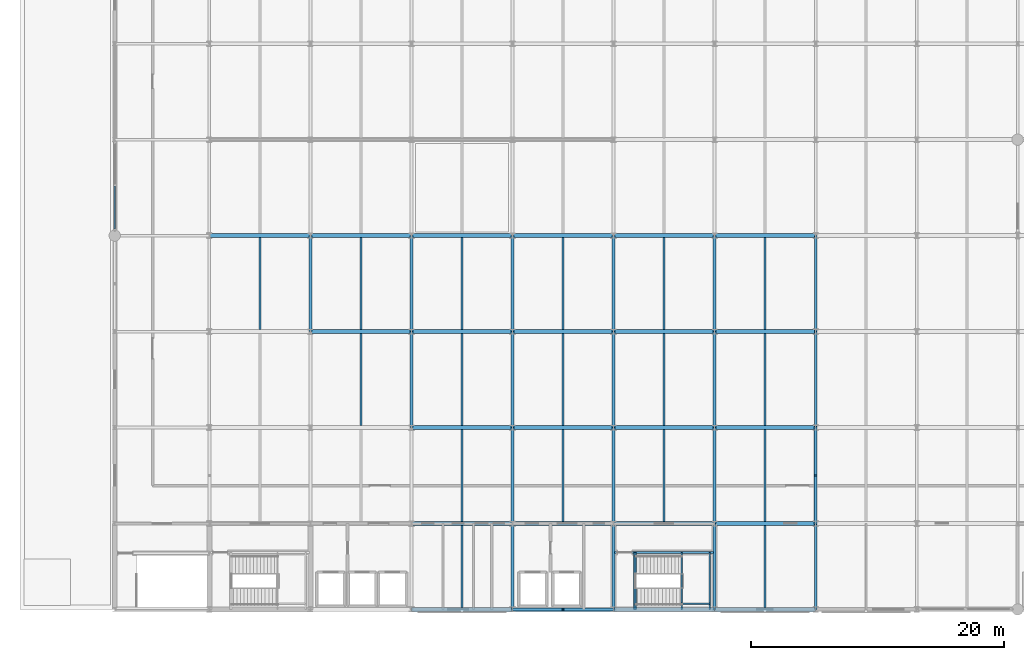
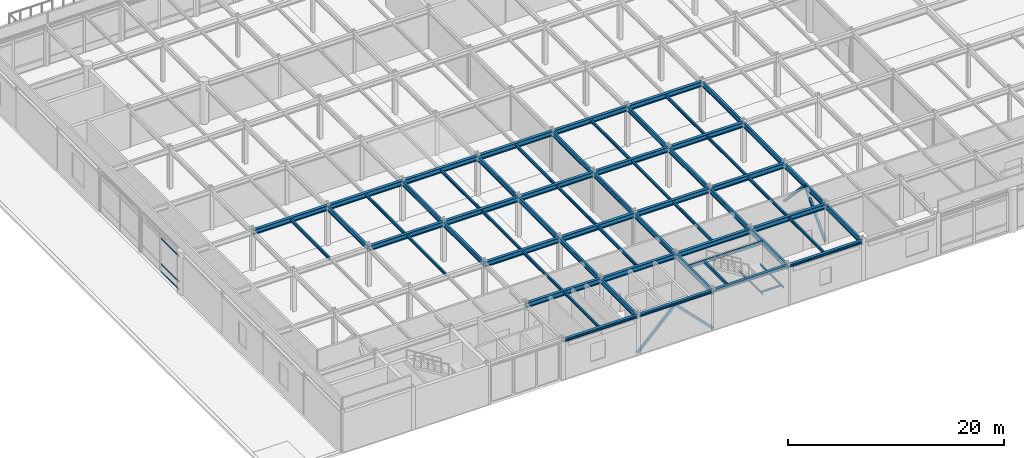
# One storey, part 14 of 43: 64 beams, 7 members, 1 element without a shape of its own.
"""IFC4 building model written with IfcOpenShell, lengths in metres."""

import ifcopenshell
import ifcopenshell.guid

model = None  # the IFC model being written
_history = None  # IfcOwnerHistory: only IFC2X3 demands one
_inside = {}  # id of a spatial element -> (the spatial element, [elements in it])
_under = {}  # id of a project, library or spatial element -> (it, [spatial elements below it])
_declared = {}  # id of a project -> (the project, [libraries it declares])
_typed = {}  # id of a type object -> (the type object, [elements of that type])
_made_of = {}  # id of a material, layer set ... -> (it, [elements and type objects made of it])


def new_model(schema):
    """Start an empty IFC model of exactly this schema.

    Asked for "IFC4X3", IfcOpenShell would pick the latest addendum, in which some entities
    have other attributes; the version numbers below select the first issue.
    IFC2X3 requires an IfcOwnerHistory on every rooted entity: one is made here for all.
    """
    global model, _history
    if schema == "IFC4X3":
        model = ifcopenshell.file(schema_version=(4, 3, 0, 0))
    else:
        model = ifcopenshell.file(schema=schema)
    _inside.clear()
    _under.clear()
    _declared.clear()
    _typed.clear()
    _made_of.clear()
    _history = None
    if model.schema == "IFC2X3":
        org = make("IfcOrganization", Name="unknown")
        user = make(
            "IfcPersonAndOrganization",
            ThePerson=make("IfcPerson", FamilyName="unknown"),
            TheOrganization=org,
        )
        app = make(
            "IfcApplication",
            ApplicationDeveloper=org,
            Version="unknown",
            ApplicationFullName="unknown",
            ApplicationIdentifier="unknown",
        )
        _history = make(
            "IfcOwnerHistory",
            OwningUser=user,
            OwningApplication=app,
            ChangeAction="ADDED",
            CreationDate=0,
        )
    return model


def make(cls, **values):
    """One entity of the class cls with the attributes given. An attribute that is None is left unset."""
    return model.create_entity(
        cls, **{name: value for name, value in values.items() if value is not None}
    )


def rooted(cls, **values):
    """An entity with a GlobalId (a new one), such as an element, a storey or a relation."""
    return make(cls, GlobalId=ifcopenshell.guid.new(), OwnerHistory=_history, **values)


def si_unit(unit_type, name, prefix=None):
    """IfcSIUnit, for example si_unit("LENGTHUNIT", "METRE", prefix="MILLI")."""
    return make("IfcSIUnit", UnitType=unit_type, Prefix=prefix, Name=name)


def assignment(units):
    """IfcUnitAssignment: the units of a project."""
    return None if units is None else make("IfcUnitAssignment", Units=units)


def point(xyz):
    """IfcCartesianPoint."""
    return None if xyz is None else make("IfcCartesianPoint", Coordinates=xyz)


def direction(xyz):
    """IfcDirection."""
    return None if xyz is None else make("IfcDirection", DirectionRatios=xyz)


def frame(location, z_axis=None, x_axis=None):
    """IfcAxis2Placement3D, a coordinate frame: its origin and axes. An axis left out is left unset."""
    return make(
        "IfcAxis2Placement3D",
        Location=point(location),
        Axis=direction(z_axis),
        RefDirection=direction(x_axis),
    )


def frame_2d(location, x_axis=None):
    """IfcAxis2Placement2D, a coordinate frame in the plane: its origin and x axis."""
    return make(
        "IfcAxis2Placement2D", Location=point(location), RefDirection=direction(x_axis)
    )


def origin():
    """The frame at (0, 0, 0) with its axes left unset."""
    return frame((0.0, 0.0, 0.0))


def origin_2d():
    """The frame at (0, 0) in the plane with its x axis left unset."""
    return frame_2d((0.0, 0.0))


def place(relative_to, where):
    """IfcLocalPlacement: puts the frame where relative to a parent placement (None: the world)."""
    return make(
        "IfcLocalPlacement", PlacementRelTo=relative_to, RelativePlacement=where
    )


def context(
    kind, dimensions, precision=None, world=None, true_north=None, identifier=None
):
    """IfcGeometricRepresentationContext, for example the 3D "Model" context."""
    return make(
        "IfcGeometricRepresentationContext",
        ContextIdentifier=identifier,
        ContextType=kind,
        CoordinateSpaceDimension=dimensions,
        Precision=precision,
        WorldCoordinateSystem=world,
        TrueNorth=true_north,
    )


def subcontext(parent, identifier, kind, view, scale=None):
    """IfcGeometricRepresentationSubContext, for example "Body" below "Model"."""
    return make(
        "IfcGeometricRepresentationSubContext",
        ContextIdentifier=identifier,
        ContextType=kind,
        ParentContext=parent,
        TargetScale=scale,
        TargetView=view,
    )


def project(units=None, contexts=None):
    """IfcProject with its units and contexts."""
    return rooted(
        "IfcProject",
        Name="project",
        RepresentationContexts=contexts,
        UnitsInContext=assignment(units),
    )


def spatial(cls, under=None, at=None, **own):
    """A site, building, storey or space (cls), placed at a placement, below another one or the project."""
    s = rooted(cls, ObjectPlacement=at, **own)
    if under is not None:
        _under.setdefault(under.id(), (under, []))[1].append(s)
    return s


def profile(cls, at=None, kind="AREA", **sizes):
    """A parametric profile (cls). Its sizes go by their IFC names, for example OverallWidth=200.0."""
    return make(cls, ProfileType=kind, Position=at, **sizes)


def hollow_rectangle(**sizes):
    """IfcRectangleHollowProfileDef."""
    return profile("IfcRectangleHollowProfileDef", **sizes)


def i_section(**sizes):
    """IfcIShapeProfileDef."""
    return profile("IfcIShapeProfileDef", **sizes)


def extrude(swept, where, along, depth):
    """IfcExtrudedAreaSolid: the profile swept, set in the frame where, extruded along a direction by depth."""
    return make(
        "IfcExtrudedAreaSolid",
        SweptArea=swept,
        Position=where,
        ExtrudedDirection=direction(along),
        Depth=depth,
    )


def shape(context_of_items, identifier, shape_type, items):
    """IfcShapeRepresentation: the items that make up one representation, for example the "Body"."""
    return make(
        "IfcShapeRepresentation",
        ContextOfItems=context_of_items,
        RepresentationIdentifier=identifier,
        RepresentationType=shape_type,
        Items=items,
    )


def material(Name=None, Category=None):
    """IfcMaterial."""
    return make("IfcMaterial", Name=Name, Category=Category)


def layer(
    of_material, thickness, ventilated=None, Name=None, Category=None, Priority=None
):
    """IfcMaterialLayer: one layer of a wall or slab, of a material (None: an air gap)."""
    return make(
        "IfcMaterialLayer",
        Material=of_material,
        LayerThickness=thickness,
        IsVentilated=ventilated,
        Name=Name,
        Category=Category,
        Priority=Priority,
    )


def layer_set(layers, Name=None):
    """IfcMaterialLayerSet."""
    return make("IfcMaterialLayerSet", MaterialLayers=layers, LayerSetName=Name)


def material_profile(
    of_material, cross_section, Name=None, Category=None, Priority=None
):
    """IfcMaterialProfile: a cross section and its material."""
    return make(
        "IfcMaterialProfile",
        Name=Name,
        Material=of_material,
        Profile=cross_section,
        Priority=Priority,
        Category=Category,
    )


def profile_set(profiles, Name=None, composite=None):
    """IfcMaterialProfileSet."""
    return make(
        "IfcMaterialProfileSet",
        Name=Name,
        MaterialProfiles=profiles,
        CompositeProfile=composite,
    )


def made_of(thing, what):
    """Note that an element or type object is made of a material, layer set ...; save() writes the relation."""
    if what is not None:
        _made_of.setdefault(what.id(), (what, []))[1].append(thing)
    return thing


def type_object(cls, material=None, **own):
    """A type object (cls), such as IfcWallType, which elements share."""
    return made_of(rooted(cls, **own), material)


def element(
    cls,
    number,
    at=None,
    inside=None,
    cuts=None,
    type_object=None,
    material=None,
    context=None,
    identifier="Body",
    shape_type=None,
    held_by="IfcProductDefinitionShape",
    body=None,
    shapes=None,
    **own,
):
    """One element of the class cls, such as IfcWall. Its Tag is "e" and its number.

    at: its placement. inside: the storey or other place that contains it. cuts: it is an
    opening in that element (IfcRelVoidsElement). A single representation is given by context,
    identifier, shape_type and body (its items); several are given by shapes. held_by: the class
    of the entity that holds the representations. save() writes the other relations.
    """
    e = rooted(cls, Tag="e%d" % number, ObjectPlacement=at, **own)
    if body is not None:
        shapes = [shape(context, identifier, shape_type, body)]
    if shapes is not None:
        e.Representation = make(held_by, Representations=shapes)
    if inside is not None:
        _inside.setdefault(inside.id(), (inside, []))[1].append(e)
    if cuts is not None:
        rooted(
            "IfcRelVoidsElement", RelatingBuildingElement=cuts, RelatedOpeningElement=e
        )
    if type_object is not None:
        _typed.setdefault(type_object.id(), (type_object, []))[1].append(e)
    return made_of(e, material)


def aggregate(whole, parts):
    """IfcRelAggregates: a whole, such as a stair, and the parts it consists of."""
    return rooted("IfcRelAggregates", RelatingObject=whole, RelatedObjects=parts)


def save(model, path):
    """Write the relations noted so far, then the file.

    IfcRelAggregates (storeys below a building ...), IfcRelContainedInSpatialStructure (elements
    in a storey), IfcRelDefinesByType, IfcRelAssociatesMaterial and IfcRelDeclares: one each for
    every whole, place, type object, material and project.
    """
    for whole, parts in _under.values():
        aggregate(whole, parts)
    for where, things in _inside.values():
        rooted(
            "IfcRelContainedInSpatialStructure",
            RelatedElements=things,
            RelatingStructure=where,
        )
    for kind, things in _typed.values():
        rooted("IfcRelDefinesByType", RelatedObjects=things, RelatingType=kind)
    for what, things in _made_of.values():
        rooted("IfcRelAssociatesMaterial", RelatedObjects=things, RelatingMaterial=what)
    for by, libraries in _declared.values():
        rooted("IfcRelDeclares", RelatingContext=by, RelatedDefinitions=libraries)
    model.write(path)


model = new_model("IFC4")

# Units and contexts
model_context = context("Model", 3, precision=1e-05, world=origin(), true_north=direction((0.0, 1.0)))
body_context = subcontext(model_context, "Body", "Model", "MODEL_VIEW")
ifc_project = project(units=[si_unit("LENGTHUNIT", "METRE"), si_unit("AREAUNIT", "SQUARE_METRE"), si_unit("VOLUMEUNIT", "CUBIC_METRE"), si_unit("PLANEANGLEUNIT", "RADIAN"), si_unit("MASSUNIT", "GRAM", prefix="KILO")], contexts=[model_context])

# Site, building, storey
site_placement = place(None, origin())
site = spatial("IfcSite", under=ifc_project, at=site_placement, CompositionType="ELEMENT")
building_placement = place(site_placement, origin())
building = spatial("IfcBuilding", under=site, at=building_placement, Name="Shalkamar Park Central Library", CompositionType="ELEMENT")
storey_placement = place(building_placement, frame((0.0, 0.0, 15.60009765625)))
storey = spatial("IfcBuildingStorey", under=building, at=storey_placement, Name="L04", CompositionType="ELEMENT", Elevation=15.60009765625)

# Beams
ifc_material_1 = material(Name="Steel S355", Category="steel")
ifc_material_profile_1 = material_profile(ifc_material_1, i_section(OverallWidth=0.10009765625, OverallDepth=0.199951171875, WebThickness=0.005615234375, FlangeThickness=0.008544921875, FilletRadius=0.011962890625, at=origin_2d()), Name="IPE 200")
ifc_profile_set_1 = profile_set([ifc_material_profile_1], Name="Steel S355")
beam_type_1 = type_object("IfcBeamType", Name="Composite Floor Joist IPE200", PredefinedType="JOIST", material=ifc_profile_set_1)
for number, where, z_axis, x_axis, name in (
    (1, (202.39990234375, 248.39990234375, 2.02001953125), (0.0, 1.0, 0.0), (-1.0, 0.0, 0.0), "Stair Half-Landing Beam ST-T2-L04-1"),
    (2, (204.6201171875, 248.39990234375, 2.02001953125), (0.0, 1.0, 0.0), (-1.0, 0.0, 0.0), "Stair Half-Landing Beam ST-T2-L04-2"),
):
    element("IfcBeam", number, at=place(storey_placement, frame(where, z_axis=z_axis, x_axis=x_axis)), inside=storey, type_object=beam_type_1, Name=name, PredefinedType="JOIST", context=body_context, shape_type="SweptSolid", body=[
        extrude(i_section(OverallWidth=0.10009765625, OverallDepth=0.199951171875, WebThickness=0.005615234375, FlangeThickness=0.008544921875, FilletRadius=0.011962890625, at=origin_2d()), origin(), (0.0, 0.0, 1.0), 4.5),
    ])
beam_1_placement = place(storey_placement, frame((202.39990234375, 248.85009765625, 2.02001953125), z_axis=(1.0, 0.0, 0.0), x_axis=(0.0, 1.0, 0.0)))
element("IfcBeam", 3, at=beam_1_placement, inside=storey, type_object=beam_type_1, Name="Stair Half-Landing Cross Tie ST-T2-L04-3", PredefinedType="JOIST", context=body_context, shape_type="SweptSolid", body=[
    extrude(i_section(OverallWidth=0.10009765625, OverallDepth=0.199951171875, WebThickness=0.005615234375, FlangeThickness=0.008544921875, FilletRadius=0.011962890625, at=origin_2d()), origin(), (0.0, 0.0, 1.0), 2.22021484375),
])
ifc_material_profile_2 = material_profile(ifc_material_1, i_section(OverallWidth=0.14990234375, OverallDepth=0.300048828125, WebThickness=0.007080078125, FlangeThickness=0.0107421875, FilletRadius=0.014892578125, at=origin_2d()), Name="IPE 300")
ifc_profile_set_2 = profile_set([ifc_material_profile_2], Name="Steel S355")
beam_type_2 = type_object("IfcBeamType", Name="Composite Floor Joist IPE300", PredefinedType="JOIST", material=ifc_profile_set_2)
beam_2_placement = place(storey_placement, frame((177.0, 262.947998046875, 4.329833984375), z_axis=(0.0, 1.0, 0.0), x_axis=(-1.0, 0.0, 0.0)))
element("IfcBeam", 4, at=beam_2_placement, inside=storey, type_object=beam_type_2, Name="Composite Joist 08/D-1 (L04)", PredefinedType="JOIST", context=body_context, shape_type="SweptSolid", body=[
    extrude(i_section(OverallWidth=0.14990234375, OverallDepth=0.300048828125, WebThickness=0.007080078125, FlangeThickness=0.0107421875, FilletRadius=0.014892578125, at=origin_2d()), origin(), (0.0, 0.0, 1.0), 7.303955078125),
])
beam_3_placement = place(storey_placement, frame((185.0, 248.548095703125, 4.329833984375), z_axis=(0.0, 1.0, 0.0), x_axis=(-1.0, 0.0, 0.0)))
element("IfcBeam", 5, at=beam_3_placement, inside=storey, type_object=beam_type_2, Name="Composite Joist 09/B-1 (L04)", PredefinedType="JOIST", context=body_context, shape_type="SweptSolid", body=[
    extrude(i_section(OverallWidth=0.14990234375, OverallDepth=0.300048828125, WebThickness=0.007080078125, FlangeThickness=0.0107421875, FilletRadius=0.014892578125, at=origin_2d()), origin(), (0.0, 0.0, 1.0), 6.50390625),
])
for number, where, z_axis, x_axis, name in (
    (6, (185.0, 262.947998046875, 4.329833984375), (0.0, 1.0, 0.0), (-1.0, 0.0, 0.0), "Composite Joist 09/D-1 (L04)"),
    (7, (193.0, 262.947998046875, 4.329833984375), (0.0, 1.0, 0.0), (-1.0, 0.0, 0.0), "Composite Joist 10/D-1 (L04)"),
    (8, (201.0, 262.947998046875, 4.329833984375), (0.0, 1.0, 0.0), (-1.0, 0.0, 0.0), "Composite Joist 11/D-1 (L04)"),
):
    element("IfcBeam", number, at=place(storey_placement, frame(where, z_axis=z_axis, x_axis=x_axis)), inside=storey, type_object=beam_type_2, Name=name, PredefinedType="JOIST", context=body_context, shape_type="SweptSolid", body=[
        extrude(i_section(OverallWidth=0.14990234375, OverallDepth=0.300048828125, WebThickness=0.007080078125, FlangeThickness=0.0107421875, FilletRadius=0.014892578125, at=origin_2d()), origin(), (0.0, 0.0, 1.0), 7.303955078125),
    ])
beam_4_placement = place(storey_placement, frame((209.0, 248.548095703125, 4.329833984375), z_axis=(0.0, 1.0, 0.0), x_axis=(-1.0, 0.0, 0.0)))
element("IfcBeam", 9, at=beam_4_placement, inside=storey, type_object=beam_type_2, Name="Composite Joist 12/B-1 (L04)", PredefinedType="JOIST", context=body_context, shape_type="SweptSolid", body=[
    extrude(i_section(OverallWidth=0.14990234375, OverallDepth=0.300048828125, WebThickness=0.007080078125, FlangeThickness=0.0107421875, FilletRadius=0.014892578125, at=origin_2d()), origin(), (0.0, 0.0, 1.0), 6.50390625),
])
beam_5_placement = place(storey_placement, frame((209.0, 262.947998046875, 4.329833984375), z_axis=(0.0, 1.0, 0.0), x_axis=(-1.0, 0.0, 0.0)))
element("IfcBeam", 10, at=beam_5_placement, inside=storey, type_object=beam_type_2, Name="Composite Joist 12/D-1 (L04)", PredefinedType="JOIST", context=body_context, shape_type="SweptSolid", body=[
    extrude(i_section(OverallWidth=0.14990234375, OverallDepth=0.300048828125, WebThickness=0.007080078125, FlangeThickness=0.0107421875, FilletRadius=0.014892578125, at=origin_2d()), origin(), (0.0, 0.0, 1.0), 7.303955078125),
])
ifc_material_profile_3 = material_profile(ifc_material_1, i_section(OverallWidth=0.159912109375, OverallDepth=0.330078125, WebThickness=0.007568359375, FlangeThickness=0.011474609375, FilletRadius=0.01806640625, at=origin_2d()), Name="IPE 330")
ifc_profile_set_3 = profile_set([ifc_material_profile_3], Name="Steel S355")
beam_type_3 = type_object("IfcBeamType", Name="Composite Floor Joist IPE330", PredefinedType="JOIST", material=ifc_profile_set_3)
for number, where, z_axis, x_axis, name in (
    (11, (169.0, 270.548095703125, 4.31494140625), (0.0, 1.0, 0.0), (-1.0, 0.0, 0.0), "Composite Joist 07/E-1 (L04)"),
    (12, (177.0, 270.548095703125, 4.31494140625), (0.0, 1.0, 0.0), (-1.0, 0.0, 0.0), "Composite Joist 08/E-1 (L04)"),
):
    element("IfcBeam", number, at=place(storey_placement, frame(where, z_axis=z_axis, x_axis=x_axis)), inside=storey, type_object=beam_type_3, Name=name, PredefinedType="JOIST", context=body_context, shape_type="SweptSolid", body=[
        extrude(i_section(OverallWidth=0.159912109375, OverallDepth=0.330078125, WebThickness=0.007568359375, FlangeThickness=0.011474609375, FilletRadius=0.01806640625, at=origin_2d()), origin(), (0.0, 0.0, 1.0), 7.303955078125),
    ])
beam_6_placement = place(storey_placement, frame((185.0, 255.347900390625, 4.31494140625), z_axis=(0.0, 1.0, 0.0), x_axis=(-1.0, 0.0, 0.0)))
element("IfcBeam", 13, at=beam_6_placement, inside=storey, type_object=beam_type_3, Name="Composite Joist 09/C-1 (L04)", PredefinedType="JOIST", context=body_context, shape_type="SweptSolid", body=[
    extrude(i_section(OverallWidth=0.159912109375, OverallDepth=0.330078125, WebThickness=0.007568359375, FlangeThickness=0.011474609375, FilletRadius=0.01806640625, at=origin_2d()), origin(), (0.0, 0.0, 1.0), 7.30419921875),
])
beam_7_placement = place(storey_placement, frame((185.0, 270.548095703125, 4.31494140625), z_axis=(0.0, 1.0, 0.0), x_axis=(-1.0, 0.0, 0.0)))
element("IfcBeam", 14, at=beam_7_placement, inside=storey, type_object=beam_type_3, Name="Composite Joist 09/E-1 (L04)", PredefinedType="JOIST", context=body_context, shape_type="SweptSolid", body=[
    extrude(i_section(OverallWidth=0.159912109375, OverallDepth=0.330078125, WebThickness=0.007568359375, FlangeThickness=0.011474609375, FilletRadius=0.01806640625, at=origin_2d()), origin(), (0.0, 0.0, 1.0), 7.303955078125),
])
beam_8_placement = place(storey_placement, frame((193.0, 255.347900390625, 4.31494140625), z_axis=(0.0, 1.0, 0.0), x_axis=(-1.0, 0.0, 0.0)))
element("IfcBeam", 15, at=beam_8_placement, inside=storey, type_object=beam_type_3, Name="Composite Joist 10/C-1 (L04)", PredefinedType="JOIST", context=body_context, shape_type="SweptSolid", body=[
    extrude(i_section(OverallWidth=0.159912109375, OverallDepth=0.330078125, WebThickness=0.007568359375, FlangeThickness=0.011474609375, FilletRadius=0.01806640625, at=origin_2d()), origin(), (0.0, 0.0, 1.0), 7.30419921875),
])
beam_9_placement = place(storey_placement, frame((193.0, 270.548095703125, 4.31494140625), z_axis=(0.0, 1.0, 0.0), x_axis=(-1.0, 0.0, 0.0)))
element("IfcBeam", 16, at=beam_9_placement, inside=storey, type_object=beam_type_3, Name="Composite Joist 10/E-1 (L04)", PredefinedType="JOIST", context=body_context, shape_type="SweptSolid", body=[
    extrude(i_section(OverallWidth=0.159912109375, OverallDepth=0.330078125, WebThickness=0.007568359375, FlangeThickness=0.011474609375, FilletRadius=0.01806640625, at=origin_2d()), origin(), (0.0, 0.0, 1.0), 7.303955078125),
])
beam_10_placement = place(storey_placement, frame((201.0, 255.347900390625, 4.31494140625), z_axis=(0.0, 1.0, 0.0), x_axis=(-1.0, 0.0, 0.0)))
element("IfcBeam", 17, at=beam_10_placement, inside=storey, type_object=beam_type_3, Name="Composite Joist 11/C-1 (L04)", PredefinedType="JOIST", context=body_context, shape_type="SweptSolid", body=[
    extrude(i_section(OverallWidth=0.159912109375, OverallDepth=0.330078125, WebThickness=0.007568359375, FlangeThickness=0.011474609375, FilletRadius=0.01806640625, at=origin_2d()), origin(), (0.0, 0.0, 1.0), 7.30419921875),
])
beam_11_placement = place(storey_placement, frame((201.0, 270.548095703125, 4.31494140625), z_axis=(0.0, 1.0, 0.0), x_axis=(-1.0, 0.0, 0.0)))
element("IfcBeam", 18, at=beam_11_placement, inside=storey, type_object=beam_type_3, Name="Composite Joist 11/E-1 (L04)", PredefinedType="JOIST", context=body_context, shape_type="SweptSolid", body=[
    extrude(i_section(OverallWidth=0.159912109375, OverallDepth=0.330078125, WebThickness=0.007568359375, FlangeThickness=0.011474609375, FilletRadius=0.01806640625, at=origin_2d()), origin(), (0.0, 0.0, 1.0), 7.303955078125),
])
beam_12_placement = place(storey_placement, frame((209.0, 255.347900390625, 4.31494140625), z_axis=(0.0, 1.0, 0.0), x_axis=(-1.0, 0.0, 0.0)))
element("IfcBeam", 19, at=beam_12_placement, inside=storey, type_object=beam_type_3, Name="Composite Joist 12/C-1 (L04)", PredefinedType="JOIST", context=body_context, shape_type="SweptSolid", body=[
    extrude(i_section(OverallWidth=0.159912109375, OverallDepth=0.330078125, WebThickness=0.007568359375, FlangeThickness=0.011474609375, FilletRadius=0.01806640625, at=origin_2d()), origin(), (0.0, 0.0, 1.0), 7.30419921875),
])
beam_13_placement = place(storey_placement, frame((209.0, 270.548095703125, 4.31494140625), z_axis=(0.0, 1.0, 0.0), x_axis=(-1.0, 0.0, 0.0)))
element("IfcBeam", 20, at=beam_13_placement, inside=storey, type_object=beam_type_3, Name="Composite Joist 12/E-1 (L04)", PredefinedType="JOIST", context=body_context, shape_type="SweptSolid", body=[
    extrude(i_section(OverallWidth=0.159912109375, OverallDepth=0.330078125, WebThickness=0.007568359375, FlangeThickness=0.011474609375, FilletRadius=0.01806640625, at=origin_2d()), origin(), (0.0, 0.0, 1.0), 7.303955078125),
])

# Curtain wall, members
ifc_material_2 = material(Name="Thermally broken aluminium and triple low-e curtain wall", Category="aluminium")
ifc_layer = layer(ifc_material_2, 0.27001953125)
ifc_layer_set = layer_set([ifc_layer], Name="UnitisedCurtainWall_63")
curtain_wall_type = type_object("IfcCurtainWallType", Name="Unitised Curtain Wall 63", PredefinedType="USERDEFINED", material=ifc_layer_set)
curtain_wall_placement = place(storey_placement, origin())
curtain_wall = element("IfcCurtainWall", 21, at=curtain_wall_placement, inside=storey, type_object=curtain_wall_type, Name="Unitised Curtain Wall CW-L04-078", ObjectType="UNITISED CURTAIN WALL", PredefinedType="USERDEFINED")
ifc_material_3 = material(Name="Aluminium 6060-T66", Category="aluminium")
ifc_material_profile_4 = material_profile(ifc_material_3, hollow_rectangle(XDim=0.06494140625, YDim=0.175048828125, WallThickness=0.00439453125, InnerFilletRadius=0.00439453125, OuterFilletRadius=0.0068359375, at=origin_2d()), Name="ALU 65x175x4.5")
ifc_profile_set_4 = profile_set([ifc_material_profile_4], Name="Aluminium 6060-T66")
member_type_1 = type_object("IfcMemberType", Name="Curtain Wall Transom ALU65x175", PredefinedType="USERDEFINED", material=ifc_profile_set_4)
member_1_placement = place(storey_placement, frame((157.5, 278.533935546875, 0.032470703125), z_axis=(0.0, 1.0, 0.0), x_axis=(-1.0, 0.0, 0.0)))
member_1 = element("IfcMember", 22, at=member_1_placement, type_object=member_type_1, Name="CW-63 transom 1.1", ObjectType="TRANSOM", PredefinedType="USERDEFINED", context=body_context, shape_type="SweptSolid", body=[
    extrude(hollow_rectangle(XDim=0.06494140625, YDim=0.175048828125, WallThickness=0.00439453125, InnerFilletRadius=0.00439453125, OuterFilletRadius=0.0068359375, at=origin_2d()), origin(), (0.0, 0.0, 1.0), 3.3759765625),
])
member_2_placement = place(storey_placement, frame((157.5, 278.533935546875, 0.89990234375), z_axis=(0.0, 1.0, 0.0), x_axis=(-1.0, 0.0, 0.0)))
member_2 = element("IfcMember", 23, at=member_2_placement, type_object=member_type_1, Name="CW-63 transom 1.2", ObjectType="TRANSOM", PredefinedType="USERDEFINED", context=body_context, shape_type="SweptSolid", body=[
    extrude(hollow_rectangle(XDim=0.06494140625, YDim=0.175048828125, WallThickness=0.00439453125, InnerFilletRadius=0.00439453125, OuterFilletRadius=0.0068359375, at=origin_2d()), origin(), (0.0, 0.0, 1.0), 3.3759765625),
])
member_3_placement = place(storey_placement, frame((157.5, 278.533935546875, 3.7998046875), z_axis=(0.0, 1.0, 0.0), x_axis=(-1.0, 0.0, 0.0)))
member_3 = element("IfcMember", 24, at=member_3_placement, type_object=member_type_1, Name="CW-63 transom 1.3", ObjectType="TRANSOM", PredefinedType="USERDEFINED", context=body_context, shape_type="SweptSolid", body=[
    extrude(hollow_rectangle(XDim=0.06494140625, YDim=0.175048828125, WallThickness=0.00439453125, InnerFilletRadius=0.00439453125, OuterFilletRadius=0.0068359375, at=origin_2d()), origin(), (0.0, 0.0, 1.0), 3.3759765625),
])
aggregate(curtain_wall, [member_1, member_2, member_3])

# Members
ifc_material_profile_5 = material_profile(ifc_material_1, hollow_rectangle(XDim=0.25, YDim=0.25, WallThickness=0.012451171875, InnerFilletRadius=0.012451171875, OuterFilletRadius=0.018798828125, at=origin_2d()), Name="SHS 250x250x12.5")
ifc_profile_set_5 = profile_set([ifc_material_profile_5], Name="Steel S355")
member_type_2 = type_object("IfcMemberType", Name="Diagonal Brace SHS250", PredefinedType="BRACE", material=ifc_profile_set_5)
for number, where, z_axis, x_axis, name in (
    (25, (213.0, 255.199951171875, 0.14990234375), (0.0, 0.686042201306, 0.7275617486), (-1.0, 0.0, 0.0), "Chevron Brace TW-E Leg A (L04)"),
    (26, (213.0, 262.800048828125, 0.14990234375), (0.0, -0.686042201306, 0.7275617486), (1.0, 0.0, 0.0), "Chevron Brace TW-E Leg B (L04)"),
):
    element("IfcMember", number, at=place(storey_placement, frame(where, z_axis=z_axis, x_axis=x_axis)), inside=storey, type_object=member_type_2, Name=name, PredefinedType="BRACE", context=body_context, shape_type="SweptSolid", body=[
        extrude(hollow_rectangle(XDim=0.25, YDim=0.25, WallThickness=0.012451171875, InnerFilletRadius=0.012451171875, OuterFilletRadius=0.018798828125, at=origin_2d()), origin(), (0.0, 0.0, 1.0), 5.5390625),
    ])
for number, where, z_axis, x_axis, name in (
    (27, (189.0, 248.39990234375, 0.14990234375), (0.704457541287, 0.0, 0.709746132448), (0.0, 1.0, 0.0), "Chevron Brace TW-S Leg A (L04)"),
    (28, (197.0, 248.39990234375, 0.14990234375), (-0.704457541287, 0.0, 0.709746132448), (0.0, -1.0, 0.0), "Chevron Brace TW-S Leg B (L04)"),
):
    element("IfcMember", number, at=place(storey_placement, frame(where, z_axis=z_axis, x_axis=x_axis)), inside=storey, type_object=member_type_2, Name=name, PredefinedType="BRACE", context=body_context, shape_type="SweptSolid", body=[
        extrude(hollow_rectangle(XDim=0.25, YDim=0.25, WallThickness=0.012451171875, InnerFilletRadius=0.012451171875, OuterFilletRadius=0.018798828125, at=origin_2d()), origin(), (0.0, 0.0, 1.0), 5.67822265625),
    ])

# Beams
ifc_material_profile_6 = material_profile(ifc_material_1, i_section(OverallWidth=0.300048828125, OverallDepth=0.31005859375, WebThickness=0.009033203125, FlangeThickness=0.015380859375, FilletRadius=0.027099609375, at=origin_2d()), Name="HEA 320")
ifc_profile_set_6 = profile_set([ifc_material_profile_6], Name="Steel S355")
beam_type_4 = type_object("IfcBeamType", Name="Perimeter Spandrel Beam HEA320", PredefinedType="SPANDREL", material=ifc_profile_set_6)
for number, where, z_axis, x_axis, name in (
    (29, (181.0, 248.39990234375, 4.324951171875), (1.0, 0.0, 0.0), (0.0, 1.0, 0.0), "Beam B:09-10 (L04)"),
    (30, (189.0, 248.39990234375, 4.324951171875), (1.0, 0.0, 0.0), (0.0, 1.0, 0.0), "Beam B:10-11 (L04)"),
    (31, (197.0, 248.39990234375, 4.324951171875), (1.0, 0.0, 0.0), (0.0, 1.0, 0.0), "Beam B:11-12 (L04)"),
    (32, (205.0, 248.39990234375, 4.324951171875), (1.0, 0.0, 0.0), (0.0, 1.0, 0.0), "Beam B:12-13 (L04)"),
):
    element("IfcBeam", number, at=place(storey_placement, frame(where, z_axis=z_axis, x_axis=x_axis)), inside=storey, type_object=beam_type_4, Name=name, PredefinedType="SPANDREL", context=body_context, shape_type="SweptSolid", body=[
        extrude(i_section(OverallWidth=0.300048828125, OverallDepth=0.31005859375, WebThickness=0.009033203125, FlangeThickness=0.015380859375, FilletRadius=0.027099609375, at=origin_2d()), origin(), (0.0, 0.0, 1.0), 8.0),
    ])
ifc_material_profile_7 = material_profile(ifc_material_1, i_section(OverallWidth=0.300048828125, OverallDepth=0.550048828125, WebThickness=0.014892578125, FlangeThickness=0.029052734375, FilletRadius=0.027099609375, at=origin_2d()), Name="HEB 550")
ifc_profile_set_7 = profile_set([ifc_material_profile_7], Name="Steel S355")
beam_type_5 = type_object("IfcBeamType", Name="Primary Girder HEB550", PredefinedType="BEAM", material=ifc_profile_set_7)
for number, where, z_axis, x_axis, name in (
    (33, (181.0, 255.199951171875, 4.204833984375), (1.0, 0.0, 0.0), (0.0, 1.0, 0.0), "Beam C:09-10 (L04)"),
    (34, (189.0, 255.199951171875, 4.204833984375), (1.0, 0.0, 0.0), (0.0, 1.0, 0.0), "Beam C:10-11 (L04)"),
    (35, (197.0, 255.199951171875, 4.204833984375), (1.0, 0.0, 0.0), (0.0, 1.0, 0.0), "Beam C:11-12 (L04)"),
    (36, (205.0, 255.199951171875, 4.204833984375), (1.0, 0.0, 0.0), (0.0, 1.0, 0.0), "Beam C:12-13 (L04)"),
    (37, (181.0, 262.800048828125, 4.204833984375), (1.0, 0.0, 0.0), (0.0, 1.0, 0.0), "Beam D:09-10 (L04)"),
    (38, (189.0, 262.800048828125, 4.204833984375), (1.0, 0.0, 0.0), (0.0, 1.0, 0.0), "Beam D:10-11 (L04)"),
    (39, (197.0, 262.800048828125, 4.204833984375), (1.0, 0.0, 0.0), (0.0, 1.0, 0.0), "Beam D:11-12 (L04)"),
    (40, (205.0, 262.800048828125, 4.204833984375), (1.0, 0.0, 0.0), (0.0, 1.0, 0.0), "Beam D:12-13 (L04)"),
    (41, (173.0, 270.39990234375, 4.204833984375), (1.0, 0.0, 0.0), (0.0, 1.0, 0.0), "Beam E:08-09 (L04)"),
    (42, (181.0, 270.39990234375, 4.204833984375), (1.0, 0.0, 0.0), (0.0, 1.0, 0.0), "Beam E:09-10 (L04)"),
    (43, (189.0, 270.39990234375, 4.204833984375), (1.0, 0.0, 0.0), (0.0, 1.0, 0.0), "Beam E:10-11 (L04)"),
    (44, (197.0, 270.39990234375, 4.204833984375), (1.0, 0.0, 0.0), (0.0, 1.0, 0.0), "Beam E:11-12 (L04)"),
    (45, (205.0, 270.39990234375, 4.204833984375), (1.0, 0.0, 0.0), (0.0, 1.0, 0.0), "Beam E:12-13 (L04)"),
    (46, (165.0, 278.0, 4.204833984375), (1.0, 0.0, 0.0), (0.0, 1.0, 0.0), "Beam F:07-08 (L04)"),
    (47, (173.0, 278.0, 4.204833984375), (1.0, 0.0, 0.0), (0.0, 1.0, 0.0), "Beam F:08-09 (L04)"),
    (48, (181.0, 278.0, 4.204833984375), (1.0, 0.0, 0.0), (0.0, 1.0, 0.0), "Beam F:09-10 (L04)"),
    (49, (189.0, 278.0, 4.204833984375), (1.0, 0.0, 0.0), (0.0, 1.0, 0.0), "Beam F:10-11 (L04)"),
    (50, (197.0, 278.0, 4.204833984375), (1.0, 0.0, 0.0), (0.0, 1.0, 0.0), "Beam F:11-12 (L04)"),
    (51, (205.0, 278.0, 4.204833984375), (1.0, 0.0, 0.0), (0.0, 1.0, 0.0), "Beam F:12-13 (L04)"),
):
    element("IfcBeam", number, at=place(storey_placement, frame(where, z_axis=z_axis, x_axis=x_axis)), inside=storey, type_object=beam_type_5, Name=name, PredefinedType="BEAM", context=body_context, shape_type="SweptSolid", body=[
        extrude(i_section(OverallWidth=0.300048828125, OverallDepth=0.550048828125, WebThickness=0.014892578125, FlangeThickness=0.029052734375, FilletRadius=0.027099609375, at=origin_2d()), origin(), (0.0, 0.0, 1.0), 8.0),
    ])
ifc_material_profile_8 = material_profile(ifc_material_1, i_section(OverallWidth=0.169921875, OverallDepth=0.360107421875, WebThickness=0.008056640625, FlangeThickness=0.0126953125, FilletRadius=0.01806640625, at=origin_2d()), Name="IPE 360")
ifc_profile_set_8 = profile_set([ifc_material_profile_8], Name="Steel S355")
beam_type_6 = type_object("IfcBeamType", Name="Primary Girder IPE360", PredefinedType="BEAM", material=ifc_profile_set_8)
beam_14_placement = place(storey_placement, frame((197.087890625, 252.89990234375, 4.2998046875), z_axis=(1.0, 0.0, 0.0), x_axis=(0.0, 1.0, 0.0)))
element("IfcBeam", 52, at=beam_14_placement, inside=storey, type_object=beam_type_6, Name="CORE-T2 Stairwell Divider Beam (L04)", PredefinedType="BEAM", context=body_context, shape_type="SweptSolid", body=[
    extrude(i_section(OverallWidth=0.169921875, OverallDepth=0.360107421875, WebThickness=0.008056640625, FlangeThickness=0.0126953125, FilletRadius=0.01806640625, at=origin_2d()), origin(), (0.0, 0.0, 1.0), 7.82421875),
])
ifc_material_profile_9 = material_profile(ifc_material_1, i_section(OverallWidth=0.2099609375, OverallDepth=0.550048828125, WebThickness=0.010986328125, FlangeThickness=0.01708984375, FilletRadius=0.02392578125, at=origin_2d()), Name="IPE 550")
ifc_profile_set_9 = profile_set([ifc_material_profile_9], Name="Steel S355")
beam_type_7 = type_object("IfcBeamType", Name="Primary Girder IPE550", PredefinedType="BEAM", material=ifc_profile_set_9)
beam_15_placement = place(storey_placement, frame((173.0, 270.39990234375, 4.204833984375), z_axis=(0.0, 1.0, 0.0), x_axis=(-1.0, 0.0, 0.0)))
element("IfcBeam", 53, at=beam_15_placement, inside=storey, type_object=beam_type_7, Name="Beam 08:E-F (L04)", PredefinedType="BEAM", context=body_context, shape_type="SweptSolid", body=[
    extrude(i_section(OverallWidth=0.2099609375, OverallDepth=0.550048828125, WebThickness=0.010986328125, FlangeThickness=0.01708984375, FilletRadius=0.02392578125, at=origin_2d()), origin(), (0.0, 0.0, 1.0), 7.60009765625),
])
beam_16_placement = place(storey_placement, frame((181.0, 262.800048828125, 4.204833984375), z_axis=(0.0, 1.0, 0.0), x_axis=(-1.0, 0.0, 0.0)))
element("IfcBeam", 54, at=beam_16_placement, inside=storey, type_object=beam_type_7, Name="Beam 09:D-E (L04)", PredefinedType="BEAM", context=body_context, shape_type="SweptSolid", body=[
    extrude(i_section(OverallWidth=0.2099609375, OverallDepth=0.550048828125, WebThickness=0.010986328125, FlangeThickness=0.01708984375, FilletRadius=0.02392578125, at=origin_2d()), origin(), (0.0, 0.0, 1.0), 7.599853515625),
])
beam_17_placement = place(storey_placement, frame((181.0, 270.39990234375, 4.204833984375), z_axis=(0.0, 1.0, 0.0), x_axis=(-1.0, 0.0, 0.0)))
element("IfcBeam", 55, at=beam_17_placement, inside=storey, type_object=beam_type_7, Name="Beam 09:E-F (L04)", PredefinedType="BEAM", context=body_context, shape_type="SweptSolid", body=[
    extrude(i_section(OverallWidth=0.2099609375, OverallDepth=0.550048828125, WebThickness=0.010986328125, FlangeThickness=0.01708984375, FilletRadius=0.02392578125, at=origin_2d()), origin(), (0.0, 0.0, 1.0), 7.60009765625),
])
beam_18_placement = place(storey_placement, frame((189.0, 248.39990234375, 4.204833984375), z_axis=(0.0, 1.0, 0.0), x_axis=(-1.0, 0.0, 0.0)))
element("IfcBeam", 56, at=beam_18_placement, inside=storey, type_object=beam_type_7, Name="Beam 10:B-C (L04)", PredefinedType="BEAM", context=body_context, shape_type="SweptSolid", body=[
    extrude(i_section(OverallWidth=0.2099609375, OverallDepth=0.550048828125, WebThickness=0.010986328125, FlangeThickness=0.01708984375, FilletRadius=0.02392578125, at=origin_2d()), origin(), (0.0, 0.0, 1.0), 6.800048828125),
])
beam_19_placement = place(storey_placement, frame((189.0, 255.199951171875, 4.204833984375), z_axis=(0.0, 1.0, 0.0), x_axis=(-1.0, 0.0, 0.0)))
element("IfcBeam", 57, at=beam_19_placement, inside=storey, type_object=beam_type_7, Name="Beam 10:C-D (L04)", PredefinedType="BEAM", context=body_context, shape_type="SweptSolid", body=[
    extrude(i_section(OverallWidth=0.2099609375, OverallDepth=0.550048828125, WebThickness=0.010986328125, FlangeThickness=0.01708984375, FilletRadius=0.02392578125, at=origin_2d()), origin(), (0.0, 0.0, 1.0), 7.60009765625),
])
beam_20_placement = place(storey_placement, frame((189.0, 262.800048828125, 4.204833984375), z_axis=(0.0, 1.0, 0.0), x_axis=(-1.0, 0.0, 0.0)))
element("IfcBeam", 58, at=beam_20_placement, inside=storey, type_object=beam_type_7, Name="Beam 10:D-E (L04)", PredefinedType="BEAM", context=body_context, shape_type="SweptSolid", body=[
    extrude(i_section(OverallWidth=0.2099609375, OverallDepth=0.550048828125, WebThickness=0.010986328125, FlangeThickness=0.01708984375, FilletRadius=0.02392578125, at=origin_2d()), origin(), (0.0, 0.0, 1.0), 7.599853515625),
])
beam_21_placement = place(storey_placement, frame((189.0, 270.39990234375, 4.204833984375), z_axis=(0.0, 1.0, 0.0), x_axis=(-1.0, 0.0, 0.0)))
element("IfcBeam", 59, at=beam_21_placement, inside=storey, type_object=beam_type_7, Name="Beam 10:E-F (L04)", PredefinedType="BEAM", context=body_context, shape_type="SweptSolid", body=[
    extrude(i_section(OverallWidth=0.2099609375, OverallDepth=0.550048828125, WebThickness=0.010986328125, FlangeThickness=0.01708984375, FilletRadius=0.02392578125, at=origin_2d()), origin(), (0.0, 0.0, 1.0), 7.60009765625),
])
beam_22_placement = place(storey_placement, frame((197.0, 248.39990234375, 4.204833984375), z_axis=(0.0, 1.0, 0.0), x_axis=(-1.0, 0.0, 0.0)))
element("IfcBeam", 60, at=beam_22_placement, inside=storey, type_object=beam_type_7, Name="Beam 11:B-C (L04)", PredefinedType="BEAM", context=body_context, shape_type="SweptSolid", body=[
    extrude(i_section(OverallWidth=0.2099609375, OverallDepth=0.550048828125, WebThickness=0.010986328125, FlangeThickness=0.01708984375, FilletRadius=0.02392578125, at=origin_2d()), origin(), (0.0, 0.0, 1.0), 6.800048828125),
])
beam_23_placement = place(storey_placement, frame((197.0, 255.199951171875, 4.204833984375), z_axis=(0.0, 1.0, 0.0), x_axis=(-1.0, 0.0, 0.0)))
element("IfcBeam", 61, at=beam_23_placement, inside=storey, type_object=beam_type_7, Name="Beam 11:C-D (L04)", PredefinedType="BEAM", context=body_context, shape_type="SweptSolid", body=[
    extrude(i_section(OverallWidth=0.2099609375, OverallDepth=0.550048828125, WebThickness=0.010986328125, FlangeThickness=0.01708984375, FilletRadius=0.02392578125, at=origin_2d()), origin(), (0.0, 0.0, 1.0), 7.60009765625),
])
beam_24_placement = place(storey_placement, frame((197.0, 262.800048828125, 4.204833984375), z_axis=(0.0, 1.0, 0.0), x_axis=(-1.0, 0.0, 0.0)))
element("IfcBeam", 62, at=beam_24_placement, inside=storey, type_object=beam_type_7, Name="Beam 11:D-E (L04)", PredefinedType="BEAM", context=body_context, shape_type="SweptSolid", body=[
    extrude(i_section(OverallWidth=0.2099609375, OverallDepth=0.550048828125, WebThickness=0.010986328125, FlangeThickness=0.01708984375, FilletRadius=0.02392578125, at=origin_2d()), origin(), (0.0, 0.0, 1.0), 7.599853515625),
])
beam_25_placement = place(storey_placement, frame((197.0, 270.39990234375, 4.204833984375), z_axis=(0.0, 1.0, 0.0), x_axis=(-1.0, 0.0, 0.0)))
element("IfcBeam", 63, at=beam_25_placement, inside=storey, type_object=beam_type_7, Name="Beam 11:E-F (L04)", PredefinedType="BEAM", context=body_context, shape_type="SweptSolid", body=[
    extrude(i_section(OverallWidth=0.2099609375, OverallDepth=0.550048828125, WebThickness=0.010986328125, FlangeThickness=0.01708984375, FilletRadius=0.02392578125, at=origin_2d()), origin(), (0.0, 0.0, 1.0), 7.60009765625),
])
beam_26_placement = place(storey_placement, frame((205.0, 248.39990234375, 4.204833984375), z_axis=(0.0, 1.0, 0.0), x_axis=(-1.0, 0.0, 0.0)))
element("IfcBeam", 64, at=beam_26_placement, inside=storey, type_object=beam_type_7, Name="Beam 12:B-C (L04)", PredefinedType="BEAM", context=body_context, shape_type="SweptSolid", body=[
    extrude(i_section(OverallWidth=0.2099609375, OverallDepth=0.550048828125, WebThickness=0.010986328125, FlangeThickness=0.01708984375, FilletRadius=0.02392578125, at=origin_2d()), origin(), (0.0, 0.0, 1.0), 6.800048828125),
])
beam_27_placement = place(storey_placement, frame((205.0, 255.199951171875, 4.204833984375), z_axis=(0.0, 1.0, 0.0), x_axis=(-1.0, 0.0, 0.0)))
element("IfcBeam", 65, at=beam_27_placement, inside=storey, type_object=beam_type_7, Name="Beam 12:C-D (L04)", PredefinedType="BEAM", context=body_context, shape_type="SweptSolid", body=[
    extrude(i_section(OverallWidth=0.2099609375, OverallDepth=0.550048828125, WebThickness=0.010986328125, FlangeThickness=0.01708984375, FilletRadius=0.02392578125, at=origin_2d()), origin(), (0.0, 0.0, 1.0), 7.60009765625),
])
beam_28_placement = place(storey_placement, frame((205.0, 262.800048828125, 4.204833984375), z_axis=(0.0, 1.0, 0.0), x_axis=(-1.0, 0.0, 0.0)))
element("IfcBeam", 66, at=beam_28_placement, inside=storey, type_object=beam_type_7, Name="Beam 12:D-E (L04)", PredefinedType="BEAM", context=body_context, shape_type="SweptSolid", body=[
    extrude(i_section(OverallWidth=0.2099609375, OverallDepth=0.550048828125, WebThickness=0.010986328125, FlangeThickness=0.01708984375, FilletRadius=0.02392578125, at=origin_2d()), origin(), (0.0, 0.0, 1.0), 7.599853515625),
])
beam_29_placement = place(storey_placement, frame((205.0, 270.39990234375, 4.204833984375), z_axis=(0.0, 1.0, 0.0), x_axis=(-1.0, 0.0, 0.0)))
element("IfcBeam", 67, at=beam_29_placement, inside=storey, type_object=beam_type_7, Name="Beam 12:E-F (L04)", PredefinedType="BEAM", context=body_context, shape_type="SweptSolid", body=[
    extrude(i_section(OverallWidth=0.2099609375, OverallDepth=0.550048828125, WebThickness=0.010986328125, FlangeThickness=0.01708984375, FilletRadius=0.02392578125, at=origin_2d()), origin(), (0.0, 0.0, 1.0), 7.60009765625),
])
beam_30_placement = place(storey_placement, frame((213.0, 248.39990234375, 4.204833984375), z_axis=(0.0, 1.0, 0.0), x_axis=(-1.0, 0.0, 0.0)))
element("IfcBeam", 68, at=beam_30_placement, inside=storey, type_object=beam_type_7, Name="Beam 13:B-C (L04)", PredefinedType="BEAM", context=body_context, shape_type="SweptSolid", body=[
    extrude(i_section(OverallWidth=0.2099609375, OverallDepth=0.550048828125, WebThickness=0.010986328125, FlangeThickness=0.01708984375, FilletRadius=0.02392578125, at=origin_2d()), origin(), (0.0, 0.0, 1.0), 6.800048828125),
])
beam_31_placement = place(storey_placement, frame((213.0, 255.199951171875, 4.204833984375), z_axis=(0.0, 1.0, 0.0), x_axis=(-1.0, 0.0, 0.0)))
element("IfcBeam", 69, at=beam_31_placement, inside=storey, type_object=beam_type_7, Name="Beam 13:C-D (L04)", PredefinedType="BEAM", context=body_context, shape_type="SweptSolid", body=[
    extrude(i_section(OverallWidth=0.2099609375, OverallDepth=0.550048828125, WebThickness=0.010986328125, FlangeThickness=0.01708984375, FilletRadius=0.02392578125, at=origin_2d()), origin(), (0.0, 0.0, 1.0), 7.60009765625),
])
beam_32_placement = place(storey_placement, frame((213.0, 262.800048828125, 4.204833984375), z_axis=(0.0, 1.0, 0.0), x_axis=(-1.0, 0.0, 0.0)))
element("IfcBeam", 70, at=beam_32_placement, inside=storey, type_object=beam_type_7, Name="Beam 13:D-E (L04)", PredefinedType="BEAM", context=body_context, shape_type="SweptSolid", body=[
    extrude(i_section(OverallWidth=0.2099609375, OverallDepth=0.550048828125, WebThickness=0.010986328125, FlangeThickness=0.01708984375, FilletRadius=0.02392578125, at=origin_2d()), origin(), (0.0, 0.0, 1.0), 7.599853515625),
])
beam_33_placement = place(storey_placement, frame((213.0, 270.39990234375, 4.204833984375), z_axis=(0.0, 1.0, 0.0), x_axis=(-1.0, 0.0, 0.0)))
element("IfcBeam", 71, at=beam_33_placement, inside=storey, type_object=beam_type_7, Name="Beam 13:E-F (L04)", PredefinedType="BEAM", context=body_context, shape_type="SweptSolid", body=[
    extrude(i_section(OverallWidth=0.2099609375, OverallDepth=0.550048828125, WebThickness=0.010986328125, FlangeThickness=0.01708984375, FilletRadius=0.02392578125, at=origin_2d()), origin(), (0.0, 0.0, 1.0), 7.60009765625),
])
ifc_material_profile_10 = material_profile(ifc_material_1, hollow_rectangle(XDim=0.199951171875, YDim=0.300048828125, WallThickness=0.011962890625, InnerFilletRadius=0.011962890625, OuterFilletRadius=0.01806640625, at=origin_2d()), Name="RHS 300x200x12")
ifc_profile_set_10 = profile_set([ifc_material_profile_10], Name="Steel S355")
beam_type_8 = type_object("IfcBeamType", Name="Stair Trimmer Box RHS300x200", PredefinedType="BEAM", material=ifc_profile_set_10)
beam_34_placement = place(storey_placement, frame((198.699951171875, 248.39990234375, 4.329833984375), z_axis=(0.0, 1.0, 0.0), x_axis=(-1.0, 0.0, 0.0)))
element("IfcBeam", 72, at=beam_34_placement, inside=storey, type_object=beam_type_8, Name="Stair Arrival Trimmer Girder ST-T2-L04", PredefinedType="BEAM", context=body_context, shape_type="SweptSolid", body=[
    extrude(hollow_rectangle(XDim=0.199951171875, YDim=0.300048828125, WallThickness=0.011962890625, InnerFilletRadius=0.011962890625, OuterFilletRadius=0.01806640625, at=origin_2d()), origin(), (0.0, 0.0, 1.0), 4.5),
])

save(model, "model.ifc")
